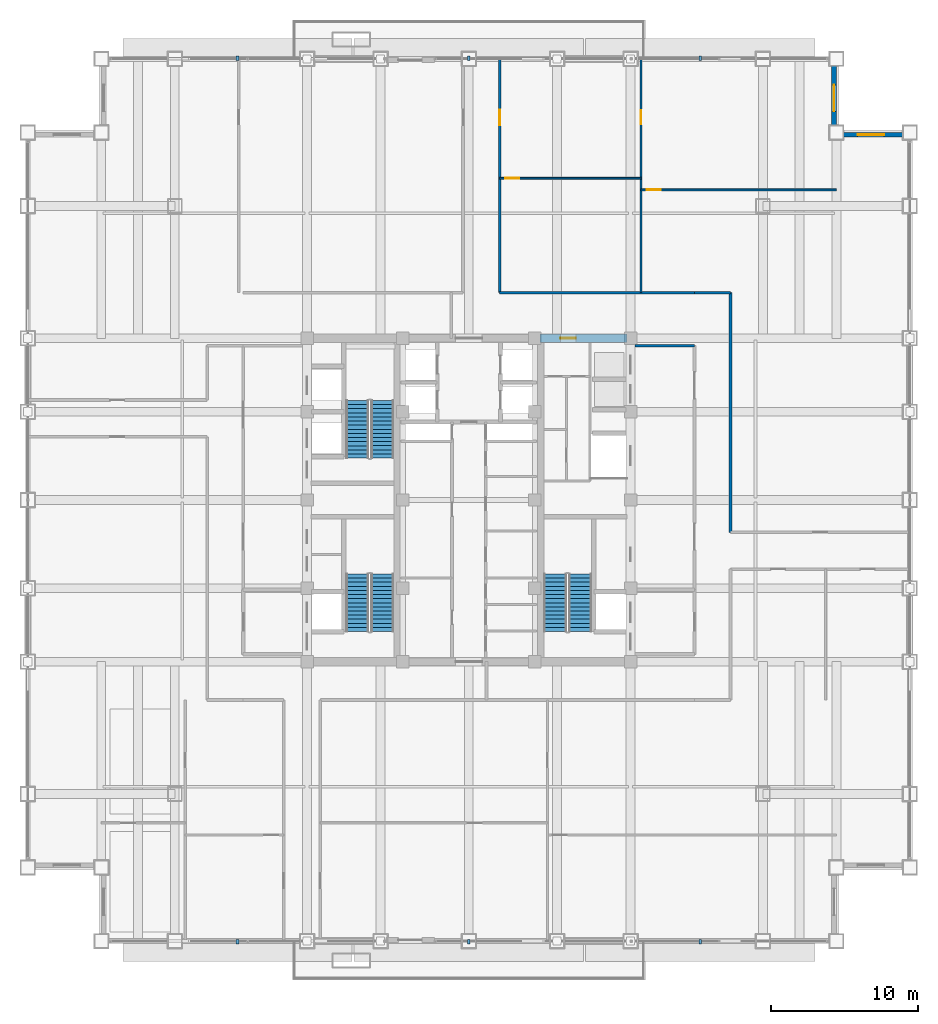
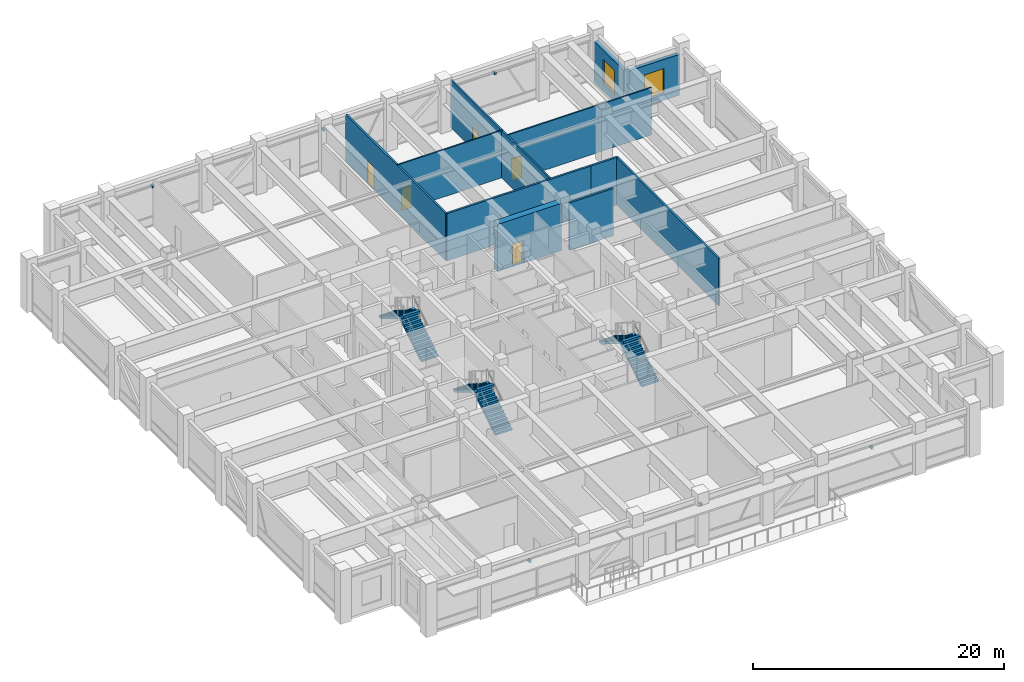
# One storey, part 27 of 33: 11 walls, 6 discrete accessories, 6 stair flights, 5 doors, 2 windows, 7 openings, 3 elements without a shape of their own.
"""IFC4 building model written with IfcOpenShell, lengths in metres."""

from ifc_helpers import new_model, si_unit, direction, frame, frame_2d, origin, origin_2d, place, context, subcontext, project, spatial, polyline, rectangle, outline, extrude, source, transform, mapped, material, layer, layer_set, type_object, element, fill, aggregate, save


model = new_model("IFC4")

# Units and contexts
model_context = context("Model", 3, precision=1e-05, world=origin(), true_north=direction((0.0, 1.0)))
body_context = subcontext(model_context, "Body", "Model", "MODEL_VIEW")
ifc_project = project(units=[si_unit("LENGTHUNIT", "METRE"), si_unit("AREAUNIT", "SQUARE_METRE"), si_unit("VOLUMEUNIT", "CUBIC_METRE"), si_unit("PLANEANGLEUNIT", "RADIAN"), si_unit("MASSUNIT", "GRAM", prefix="KILO")], contexts=[model_context])

# Site, building, storey
site_placement = place(None, origin())
site = spatial("IfcSite", under=ifc_project, at=site_placement, CompositionType="ELEMENT")
building_placement = place(site_placement, origin())
building = spatial("IfcBuilding", under=site, at=building_placement, Name="Khorayat Bourse Tower", CompositionType="ELEMENT")
storey_placement = place(building_placement, frame((0.0, 0.0, 263.10009765625)))
storey = spatial("IfcBuildingStorey", under=building, at=storey_placement, Name="L62", CompositionType="ELEMENT", Elevation=263.10009765625)

# Wall, opening, door
ifc_material_1 = material(Name="Concrete C60/75", Category="concrete")
ifc_layer_1 = layer(ifc_material_1, 0.60009765625)
ifc_layer_set_1 = layer_set([ifc_layer_1], Name="Concrete C60/75")
wall_type_1 = type_object("IfcWallType", Name="WAL-CORE-600", PredefinedType="SHEAR", material=ifc_layer_set_1)
shared_shape_1 = source(origin(), body_context, "Body", "SweptSolid", [
    extrude(rectangle(XDim=5.89990234375, YDim=0.60009765625, at=frame_2d((2.949951171875, 0.0))), origin(), (0.0, 0.0, 1.0), 4.599853515625),
])
wall_1_placement = place(storey_placement, frame((4.85009765625, 11.0, 0.0), z_axis=(0.0, 0.0, 1.0), x_axis=(1.0, 0.0, 0.0)))
wall_1 = element("IfcWall", 1, at=wall_1_placement, inside=storey, type_object=wall_type_1, Name="L62 Core Shear Wall PIER-EN", PredefinedType="SHEAR", context=body_context, shape_type="MappedRepresentation", body=[
    mapped(shared_shape_1, transform((0.0, 0.0, 0.0), scale=1.0)),
])
shared_shape_2 = source(origin(), body_context, "Body", "SweptSolid", [
    extrude(rectangle(XDim=1.050048828125, YDim=2.199951171875, at=frame_2d((0.52490234375, 1.10009765625))), frame((0.0, 0.31005859375, 0.0), z_axis=(0.0, -1.0, 0.0), x_axis=(1.0, 0.0, 0.0)), (0.0, 0.0, 1.0), 0.6201171875),
])
opening_1_placement = place(wall_1_placement, frame((1.375, 0.0, 0.0)))
opening_1 = element("IfcOpeningElement", 2, at=opening_1_placement, cuts=wall_1, Name="Opening DI-04", PredefinedType="OPENING", context=body_context, shape_type="MappedRepresentation", body=[
    mapped(shared_shape_2, transform((0.0, 0.0, 0.0), scale=1.0)),
])
ifc_material_2 = material(Name="Fire-rated oak veneer suite entrance door")
door_type_1 = type_object("IfcDoorType", Name="DR-INT-SUITE-1050", OperationType="NOTDEFINED", PredefinedType="DOOR", material=ifc_material_2)
shared_shape_3 = source(origin(), body_context, "Body", "SweptSolid", [
    extrude(rectangle(XDim=1.050048828125, YDim=2.199951171875, at=frame_2d((0.52490234375, 1.10009765625))), frame((0.0, 0.02490234375, 0.0), z_axis=(0.0, -1.0, 0.0), x_axis=(1.0, 0.0, 0.0)), (0.0, 0.0, 1.0), 0.050048828125),
])
door_1_placement = place(opening_1_placement, origin())
door_1 = element("IfcDoor", 3, at=door_1_placement, inside=storey, type_object=door_type_1, Name="L62 Core Washroom Lobby Door", OperationType="SINGLE_SWING_LEFT", OverallHeight=2.199951171875, OverallWidth=1.050048828125, PredefinedType="DOOR", context=body_context, shape_type="MappedRepresentation", body=[
    mapped(shared_shape_3, transform((0.0, 0.0, 0.0), scale=1.0)),
])
fill(opening_1, door_1)

# Wall, opening, window
ifc_material_3 = material(Name="Precast concrete C45/55", Category="concrete")
ifc_layer_2 = layer(ifc_material_3, 0.320068359375)
ifc_layer_set_2 = layer_set([ifc_layer_2], Name="Precast concrete C45/55")
wall_type_2 = type_object("IfcWallType", Name="WAL-EXT-STONE-320", PredefinedType="STANDARD", material=ifc_layer_set_2)
shared_shape_4 = source(origin(), body_context, "Body", "SweptSolid", [
    extrude(rectangle(XDim=4.679931640625, YDim=0.320068359375, at=frame_2d((2.33984375, 0.0))), origin(), (0.0, 0.0, 1.0), 3.98388671875),
])
wall_2_placement = place(storey_placement, frame((25.0, 24.840087890625, 0.0), z_axis=(0.0, 0.0, 1.0), x_axis=(1.0, 0.0, 0.0)))
wall_2 = element("IfcWall", 4, at=wall_2_placement, inside=storey, type_object=wall_type_2, Name="L62 Re-Entrant Notch Limestone Wall NE-H", PredefinedType="STANDARD", context=body_context, shape_type="MappedRepresentation", body=[
    mapped(shared_shape_4, transform((0.0, 0.0, 0.0), scale=1.0)),
])
shared_shape_5 = source(origin(), body_context, "Body", "SweptSolid", [
    extrude(rectangle(XDim=1.800048828125, YDim=2.39990234375, at=frame_2d((0.89990234375, 1.199951171875))), frame((0.0, 0.169921875, 0.0), z_axis=(0.0, -1.0, 0.0), x_axis=(1.0, 0.0, 0.0)), (0.0, 0.0, 1.0), 0.340087890625),
])
opening_2_placement = place(wall_2_placement, frame((1.43994140625, 0.0, 0.699951171875)))
opening_2 = element("IfcOpeningElement", 5, at=opening_2_placement, cuts=wall_2, Name="Opening WN-04", PredefinedType="OPENING", context=body_context, shape_type="MappedRepresentation", body=[
    mapped(shared_shape_5, transform((0.0, 0.0, 0.0), scale=1.0)),
])
ifc_material_4 = material(Name="Low-E acoustic laminated double glazing", Category="glass")
window_type = type_object("IfcWindowType", Name="WIN-NOTCH-1800x2400", PartitioningType="SINGLE_PANEL", PredefinedType="WINDOW", material=ifc_material_4)
shared_shape_6 = source(origin(), body_context, "Body", "SweptSolid", [
    extrude(rectangle(XDim=1.800048828125, YDim=2.39990234375, at=frame_2d((0.89990234375, 1.199951171875))), frame((0.0, 0.030029296875, 0.0), z_axis=(0.0, -1.0, 0.0), x_axis=(1.0, 0.0, 0.0)), (0.0, 0.0, 1.0), 0.06005859375),
])
window_1_placement = place(opening_2_placement, origin())
window_1 = element("IfcWindow", 6, at=window_1_placement, inside=storey, type_object=window_type, Name="L62 Facade Window 1", OverallHeight=2.39990234375, OverallWidth=1.800048828125, PartitioningType="SINGLE_PANEL", PredefinedType="WINDOW", context=body_context, shape_type="MappedRepresentation", body=[
    mapped(shared_shape_6, transform((0.0, 0.0, 0.0), scale=1.0)),
])
fill(opening_2, window_1)

wall_3_placement = place(storey_placement, frame((24.840087890625, 25.0, 0.0), z_axis=(0.0, 0.0, 1.0), x_axis=(0.0, 1.0, 0.0)))
wall_3 = element("IfcWall", 7, at=wall_3_placement, inside=storey, type_object=wall_type_2, Name="L62 Re-Entrant Notch Limestone Wall NE-V", PredefinedType="STANDARD", context=body_context, shape_type="MappedRepresentation", body=[
    mapped(shared_shape_4, transform((0.0, 0.0, 0.0), scale=1.0)),
])
opening_3_placement = place(wall_3_placement, frame((1.43994140625, 0.0, 0.699951171875)))
opening_3 = element("IfcOpeningElement", 8, at=opening_3_placement, cuts=wall_3, Name="Opening WN-04", PredefinedType="OPENING", context=body_context, shape_type="MappedRepresentation", body=[
    mapped(shared_shape_5, transform((0.0, 0.0, 0.0), scale=1.0)),
])
window_2_placement = place(opening_3_placement, origin())
window_2 = element("IfcWindow", 9, at=window_2_placement, inside=storey, type_object=window_type, Name="L62 Facade Window 1", OverallHeight=2.39990234375, OverallWidth=1.800048828125, PartitioningType="SINGLE_PANEL", PredefinedType="WINDOW", context=body_context, shape_type="MappedRepresentation", body=[
    mapped(shared_shape_6, transform((0.0, 0.0, 0.0), scale=1.0)),
])
fill(opening_3, window_2)

# Walls
ifc_material_5 = material(Name="Gypsum plasterboard acoustic stud wall")
ifc_layer_3 = layer(ifc_material_5, 0.179931640625)
ifc_layer_set_3 = layer_set([ifc_layer_3], Name="Gypsum plasterboard acoustic stud wall")
wall_type_3 = type_object("IfcWallType", Name="WAL-PART-CORR-180", PredefinedType="PARTITIONING", material=ifc_layer_set_3)
shared_shape_7 = source(origin(), body_context, "Body", "SweptSolid", [
    extrude(rectangle(XDim=4.050048828125, YDim=0.179931640625, at=frame_2d((2.02490234375, 0.0))), origin(), (0.0, 0.0, 1.0), 4.599853515625),
])
wall_4_placement = place(storey_placement, frame((11.300048828125, 10.5, 0.0), z_axis=(0.0, 0.0, 1.0), x_axis=(1.0, 0.0, 0.0)))
element("IfcWall", 10, at=wall_4_placement, inside=storey, type_object=wall_type_3, Name="L62 Partition WAL-L62-ELOB-N", PredefinedType="PARTITIONING", context=body_context, shape_type="MappedRepresentation", body=[
    mapped(shared_shape_7, transform((0.0, 0.0, 0.0), scale=1.0)),
])
shared_shape_8 = source(origin(), body_context, "Body", "SweptSolid", [
    extrude(rectangle(XDim=2.449951171875, YDim=0.179931640625, at=frame_2d((1.22509765625, 0.0))), origin(), (0.0, 0.0, 1.0), 4.599853515625),
])
wall_5_placement = place(storey_placement, frame((15.35009765625, 14.10009765625, 0.0), z_axis=(0.0, 0.0, 1.0), x_axis=(1.0, 0.0, 0.0)))
element("IfcWall", 11, at=wall_5_placement, inside=storey, type_object=wall_type_3, Name="L62 Partition WAL-L62-C2-EN", PredefinedType="PARTITIONING", context=body_context, shape_type="MappedRepresentation", body=[
    mapped(shared_shape_8, transform((0.0, 0.0, 0.0), scale=1.0)),
])

# Wall, opening, door
ifc_material_6 = material(Name="Gypsum plasterboard twin-frame partition")
ifc_layer_4 = layer(ifc_material_6, 0.14990234375)
ifc_layer_set_4 = layer_set([ifc_layer_4], Name="Gypsum plasterboard twin-frame partition")
wall_type_4 = type_object("IfcWallType", Name="WAL-PART-SUITE-150", PredefinedType="PARTITIONING", material=ifc_layer_set_4)
shared_shape_9 = source(origin(), body_context, "Body", "SweptSolid", [
    extrude(rectangle(XDim=15.89990234375, YDim=0.14990234375, at=frame_2d((7.949951171875, 0.0))), origin(), (0.0, 0.0, 1.0), 4.599853515625),
])
wall_6_placement = place(storey_placement, frame((11.718017578125, 14.10009765625, 0.0), z_axis=(0.0, 0.0, 1.0), x_axis=(0.0, 1.0, 0.0)))
wall_6 = element("IfcWall", 12, at=wall_6_placement, inside=storey, type_object=wall_type_4, Name="L62 Partition WAL-L62-QNEDV-1", PredefinedType="PARTITIONING", context=body_context, shape_type="MappedRepresentation", body=[
    mapped(shared_shape_9, transform((0.0, 0.0, 0.0), scale=1.0)),
])
shared_shape_10 = source(origin(), body_context, "Body", "SweptSolid", [
    extrude(rectangle(XDim=0.949951171875, YDim=2.14990234375, at=frame_2d((0.47509765625, 1.074951171875))), frame((0.0, 0.0849609375, 0.0), z_axis=(0.0, -1.0, 0.0), x_axis=(1.0, 0.0, 0.0)), (0.0, 0.0, 1.0), 0.169921875),
])
opening_4_placement = place(wall_6_placement, frame((11.449951171875, 0.0, 0.0)))
opening_4 = element("IfcOpeningElement", 13, at=opening_4_placement, cuts=wall_6, Name="Opening DI-05", PredefinedType="OPENING", context=body_context, shape_type="MappedRepresentation", body=[
    mapped(shared_shape_10, transform((0.0, 0.0, 0.0), scale=1.0)),
])
ifc_material_7 = material(Name="Acoustic oak veneer office door")
door_type_2 = type_object("IfcDoorType", Name="DR-INT-OFFICE-950", OperationType="NOTDEFINED", PredefinedType="DOOR", material=ifc_material_7)
shared_shape_11 = source(origin(), body_context, "Body", "SweptSolid", [
    extrude(rectangle(XDim=0.949951171875, YDim=2.14990234375, at=frame_2d((0.47509765625, 1.074951171875))), frame((0.0, 0.02490234375, 0.0), z_axis=(0.0, -1.0, 0.0), x_axis=(1.0, 0.0, 0.0)), (0.0, 0.0, 1.0), 0.050048828125),
])
door_2_placement = place(opening_4_placement, origin())
door_2 = element("IfcDoor", 14, at=door_2_placement, inside=storey, type_object=door_type_2, Name="L62 North-East Suite Link 1", OperationType="SINGLE_SWING_RIGHT", OverallHeight=2.14990234375, OverallWidth=0.949951171875, PredefinedType="DOOR", context=body_context, shape_type="MappedRepresentation", body=[
    mapped(shared_shape_11, transform((0.0, 0.0, 0.0), scale=1.0)),
])
fill(opening_4, door_2)

ifc_material_8 = material(Name="Gypsum plasterboard partition")
ifc_layer_5 = layer(ifc_material_8, 0.125)
ifc_layer_set_5 = layer_set([ifc_layer_5], Name="Gypsum plasterboard partition")
wall_type_5 = type_object("IfcWallType", Name="WAL-PART-ROOM-125", PredefinedType="PARTITIONING", material=ifc_layer_set_5)
shared_shape_12 = source(origin(), body_context, "Body", "SweptSolid", [
    extrude(rectangle(XDim=9.617919921875, YDim=0.125, at=frame_2d((4.80908203125, 0.0))), origin(), (0.0, 0.0, 1.0), 4.599853515625),
])
wall_7_placement = place(storey_placement, frame((2.10009765625, 21.89111328125, 0.0), z_axis=(0.0, 0.0, 1.0), x_axis=(1.0, 0.0, 0.0)))
wall_7 = element("IfcWall", 15, at=wall_7_placement, inside=storey, type_object=wall_type_5, Name="L62 Partition WAL-L62-QNEDP-1", PredefinedType="PARTITIONING", context=body_context, shape_type="MappedRepresentation", body=[
    mapped(shared_shape_12, transform((0.0, 0.0, 0.0), scale=1.0)),
])
shared_shape_13 = source(origin(), body_context, "Body", "SweptSolid", [
    extrude(rectangle(XDim=0.949951171875, YDim=2.14990234375, at=frame_2d((0.47509765625, 1.074951171875))), frame((0.0, 0.072509765625, 0.0), z_axis=(0.0, -1.0, 0.0), x_axis=(1.0, 0.0, 0.0)), (0.0, 0.0, 1.0), 0.14501953125),
])
opening_5_placement = place(wall_7_placement, frame((0.375, 0.0, 0.0)))
opening_5 = element("IfcOpeningElement", 16, at=opening_5_placement, cuts=wall_7, Name="Opening DI-05", PredefinedType="OPENING", context=body_context, shape_type="MappedRepresentation", body=[
    mapped(shared_shape_13, transform((0.0, 0.0, 0.0), scale=1.0)),
])
door_3_placement = place(opening_5_placement, origin())
door_3 = element("IfcDoor", 17, at=door_3_placement, inside=storey, type_object=door_type_2, Name="L62 North-East Executive Boardroom 1B Door", OperationType="SINGLE_SWING_RIGHT", OverallHeight=2.14990234375, OverallWidth=0.949951171875, PredefinedType="DOOR", context=body_context, shape_type="MappedRepresentation", body=[
    mapped(shared_shape_11, transform((0.0, 0.0, 0.0), scale=1.0)),
])
fill(opening_5, door_3)

shared_shape_14 = source(origin(), body_context, "Body", "SweptSolid", [
    extrude(rectangle(XDim=13.281982421875, YDim=0.125, at=frame_2d((6.64111328125, 0.0))), origin(), (0.0, 0.0, 1.0), 4.599853515625),
])
wall_8_placement = place(storey_placement, frame((11.718017578125, 21.095947265625, 0.0), z_axis=(0.0, 0.0, 1.0), x_axis=(1.0, 0.0, 0.0)))
wall_8 = element("IfcWall", 18, at=wall_8_placement, inside=storey, type_object=wall_type_5, Name="L62 Partition WAL-L62-QNEDP-2", PredefinedType="PARTITIONING", context=body_context, shape_type="MappedRepresentation", body=[
    mapped(shared_shape_14, transform((0.0, 0.0, 0.0), scale=1.0)),
])
opening_6_placement = place(wall_8_placement, frame((0.375, 0.0, 0.0)))
opening_6 = element("IfcOpeningElement", 19, at=opening_6_placement, cuts=wall_8, Name="Opening DI-05", PredefinedType="OPENING", context=body_context, shape_type="MappedRepresentation", body=[
    mapped(shared_shape_13, transform((0.0, 0.0, 0.0), scale=1.0)),
])
door_4_placement = place(opening_6_placement, origin())
door_4 = element("IfcDoor", 20, at=door_4_placement, inside=storey, type_object=door_type_2, Name="L62 North-East Issuer Listing Showroom 2B Door", OperationType="SINGLE_SWING_LEFT", OverallHeight=2.14990234375, OverallWidth=0.949951171875, PredefinedType="DOOR", context=body_context, shape_type="MappedRepresentation", body=[
    mapped(shared_shape_11, transform((0.0, 0.0, 0.0), scale=1.0)),
])
fill(opening_6, door_4)

shared_shape_15 = source(origin(), body_context, "Body", "SweptSolid", [
    extrude(rectangle(XDim=15.89990234375, YDim=0.179931640625, at=frame_2d((7.949951171875, 0.0))), origin(), (0.0, 0.0, 1.0), 4.599853515625),
])
wall_9_placement = place(storey_placement, frame((2.10009765625, 14.10009765625, 0.0), z_axis=(0.0, 0.0, 1.0), x_axis=(0.0, 1.0, 0.0)))
wall_9 = element("IfcWall", 21, at=wall_9_placement, inside=storey, type_object=wall_type_3, Name="L62 Partition WAL-L62-QNE-SPK", PredefinedType="PARTITIONING", context=body_context, shape_type="MappedRepresentation", body=[
    mapped(shared_shape_15, transform((0.0, 0.0, 0.0), scale=1.0)),
])
shared_shape_16 = source(origin(), body_context, "Body", "SweptSolid", [
    extrude(rectangle(XDim=1.050048828125, YDim=2.199951171875, at=frame_2d((0.52490234375, 1.10009765625))), frame((0.0, 0.099853515625, 0.0), z_axis=(0.0, -1.0, 0.0), x_axis=(1.0, 0.0, 0.0)), (0.0, 0.0, 1.0), 0.199951171875),
])
opening_7_placement = place(wall_9_placement, frame((11.39990234375, 0.0, 0.0)))
opening_7 = element("IfcOpeningElement", 22, at=opening_7_placement, cuts=wall_9, Name="Opening DI-04", PredefinedType="OPENING", context=body_context, shape_type="MappedRepresentation", body=[
    mapped(shared_shape_16, transform((0.0, 0.0, 0.0), scale=1.0)),
])
door_5_placement = place(opening_7_placement, origin())
door_5 = element("IfcDoor", 23, at=door_5_placement, inside=storey, type_object=door_type_1, Name="L62 North-East Radial Spoke Entry", OperationType="SINGLE_SWING_LEFT", OverallHeight=2.199951171875, OverallWidth=1.050048828125, PredefinedType="DOOR", context=body_context, shape_type="MappedRepresentation", body=[
    mapped(shared_shape_3, transform((0.0, 0.0, 0.0), scale=1.0)),
])
fill(opening_7, door_5)

# Walls
shared_shape_17 = source(origin(), body_context, "Body", "SweptSolid", [
    extrude(rectangle(XDim=13.25, YDim=0.179931640625, at=frame_2d((6.625, 0.0))), origin(), (0.0, 0.0, 1.0), 4.599853515625),
])
wall_10_placement = place(storey_placement, frame((2.10009765625, 14.10009765625, 0.0), z_axis=(0.0, 0.0, 1.0), x_axis=(1.0, 0.0, 0.0)))
element("IfcWall", 24, at=wall_10_placement, inside=storey, type_object=wall_type_3, Name="L62 Partition WAL-L62-QNE-HC", PredefinedType="PARTITIONING", context=body_context, shape_type="MappedRepresentation", body=[
    mapped(shared_shape_17, transform((0.0, 0.0, 0.0), scale=1.0)),
])
shared_shape_18 = source(origin(), body_context, "Body", "SweptSolid", [
    extrude(rectangle(XDim=16.300048828125, YDim=0.179931640625, at=frame_2d((8.14990234375, 0.0))), origin(), (0.0, 0.0, 1.0), 4.599853515625),
])
wall_11_placement = place(storey_placement, frame((17.800048828125, -2.199951171875, 0.0), z_axis=(0.0, 0.0, 1.0), x_axis=(0.0, 1.0, 0.0)))
element("IfcWall", 25, at=wall_11_placement, inside=storey, type_object=wall_type_3, Name="L62 Partition WAL-L62-EN-IN", PredefinedType="PARTITIONING", context=body_context, shape_type="MappedRepresentation", body=[
    mapped(shared_shape_18, transform((0.0, 0.0, 0.0), scale=1.0)),
])

# Stair, stair flights
ifc_material_9 = material(Name="Concrete C40/50", Category="concrete")
stair_type = type_object("IfcStairType", Name="STR-CORE-1550", PredefinedType="HALF_TURN_STAIR", material=ifc_material_9)
stair_1_placement = place(storey_placement, origin())
stair_1 = element("IfcStair", 26, at=stair_1_placement, inside=storey, type_object=stair_type, Name="L62 Exit Stair ST-1", PredefinedType="HALF_TURN_STAIR")
stair_flight_type = type_object("IfcStairFlightType", Name="FLT-CORE-1550", PredefinedType="STRAIGHT", material=ifc_material_9)
shared_shape_19 = source(origin(), body_context, "Body", "SweptSolid", [
    extrude(outline(polyline([(0.0, 0.0), (0.0, 0.17333984375), (0.280029296875, 0.17333984375), (0.280029296875, 0.3466796875), (0.56005859375, 0.3466796875), (0.56005859375, 0.52001953125), (0.840087890625, 0.52001953125), (0.840087890625, 0.693359375), (1.1201171875, 0.693359375), (1.1201171875, 0.86669921875), (1.39990234375, 0.86669921875), (1.39990234375, 1.0400390625), (1.679931640625, 1.0400390625), (1.679931640625, 1.21337890625), (1.9599609375, 1.21337890625), (1.9599609375, 1.38671875), (2.239990234375, 1.38671875), (2.239990234375, 1.56005859375), (2.52001953125, 1.56005859375), (2.52001953125, 1.7333984375), (2.800048828125, 1.7333984375), (2.800048828125, 1.90673828125), (3.080078125, 1.90673828125), (3.080078125, 2.080078125), (3.360107421875, 2.080078125), (3.360107421875, 2.25341796875), (3.639892578125, 2.25341796875), (3.639892578125, 2.4267578125), (3.919921875, 2.4267578125), (3.919921875, 2.60009765625), (3.919921875, 2.215087890625), (0.341796875, 0.0), (0.0, 0.0)])), frame((0.0, 0.77490234375, 0.0), z_axis=(0.0, -1.0, 0.0), x_axis=(1.0, 0.0, 0.0)), (0.0, 0.0, 1.0), 1.550048828125),
])
stair_flight_1_placement = place(storey_placement, frame((-5.875, -8.949951171875, 0.0), z_axis=(0.0, 0.0, 1.0), x_axis=(0.0, 1.0, 0.0)))
stair_flight_1 = element("IfcStairFlight", 27, at=stair_flight_1_placement, type_object=stair_flight_type, Name="ST-1 flight 1", NumberOfRisers=15, NumberOfTreads=14, PredefinedType="STRAIGHT", RiserHeight=0.173333333, TreadLength=0.28, context=body_context, shape_type="MappedRepresentation", body=[
    mapped(shared_shape_19, transform((0.0, 0.0, 0.0), scale=1.0)),
])
stair_flight_2_placement = place(storey_placement, frame((-7.574951171875, -5.030029296875, 2.599853515625), z_axis=(0.0, 0.0, 1.0), x_axis=(0.0, -1.0, 0.0)))
stair_flight_2 = element("IfcStairFlight", 28, at=stair_flight_2_placement, type_object=stair_flight_type, Name="ST-1 flight 2", NumberOfRisers=15, NumberOfTreads=14, PredefinedType="STRAIGHT", RiserHeight=0.173333333, TreadLength=0.28, context=body_context, shape_type="MappedRepresentation", body=[
    mapped(shared_shape_19, transform((0.0, 0.0, 0.0), scale=1.0)),
])
aggregate(stair_1, [stair_flight_1, stair_flight_2])

stair_2_placement = place(storey_placement, origin())
stair_2 = element("IfcStair", 29, at=stair_2_placement, inside=storey, type_object=stair_type, Name="L62 Exit Stair ST-2", PredefinedType="HALF_TURN_STAIR")
stair_flight_3_placement = place(storey_placement, frame((-5.875, 2.85009765625, 0.0), z_axis=(0.0, 0.0, 1.0), x_axis=(0.0, 1.0, 0.0)))
stair_flight_3 = element("IfcStairFlight", 30, at=stair_flight_3_placement, type_object=stair_flight_type, Name="ST-2 flight 1", NumberOfRisers=15, NumberOfTreads=14, PredefinedType="STRAIGHT", RiserHeight=0.173333333, TreadLength=0.28, context=body_context, shape_type="MappedRepresentation", body=[
    mapped(shared_shape_19, transform((0.0, 0.0, 0.0), scale=1.0)),
])
stair_flight_4_placement = place(storey_placement, frame((-7.574951171875, 6.77001953125, 2.599853515625), z_axis=(0.0, 0.0, 1.0), x_axis=(0.0, -1.0, 0.0)))
stair_flight_4 = element("IfcStairFlight", 31, at=stair_flight_4_placement, type_object=stair_flight_type, Name="ST-2 flight 2", NumberOfRisers=15, NumberOfTreads=14, PredefinedType="STRAIGHT", RiserHeight=0.173333333, TreadLength=0.28, context=body_context, shape_type="MappedRepresentation", body=[
    mapped(shared_shape_19, transform((0.0, 0.0, 0.0), scale=1.0)),
])
aggregate(stair_2, [stair_flight_3, stair_flight_4])

stair_3_placement = place(storey_placement, origin())
stair_3 = element("IfcStair", 32, at=stair_3_placement, inside=storey, type_object=stair_type, Name="L62 Exit Stair ST-3", PredefinedType="HALF_TURN_STAIR")
stair_flight_5_placement = place(storey_placement, frame((7.574951171875, -8.949951171875, 0.0), z_axis=(0.0, 0.0, 1.0), x_axis=(0.0, 1.0, 0.0)))
stair_flight_5 = element("IfcStairFlight", 33, at=stair_flight_5_placement, type_object=stair_flight_type, Name="ST-3 flight 1", NumberOfRisers=15, NumberOfTreads=14, PredefinedType="STRAIGHT", RiserHeight=0.173333333, TreadLength=0.28, context=body_context, shape_type="MappedRepresentation", body=[
    mapped(shared_shape_19, transform((0.0, 0.0, 0.0), scale=1.0)),
])
stair_flight_6_placement = place(storey_placement, frame((5.875, -5.030029296875, 2.599853515625), z_axis=(0.0, 0.0, 1.0), x_axis=(0.0, -1.0, 0.0)))
stair_flight_6 = element("IfcStairFlight", 34, at=stair_flight_6_placement, type_object=stair_flight_type, Name="ST-3 flight 2", NumberOfRisers=15, NumberOfTreads=14, PredefinedType="STRAIGHT", RiserHeight=0.173333333, TreadLength=0.28, context=body_context, shape_type="MappedRepresentation", body=[
    mapped(shared_shape_19, transform((0.0, 0.0, 0.0), scale=1.0)),
])
aggregate(stair_3, [stair_flight_5, stair_flight_6])

# Discrete accessories
ifc_material_10 = material(Name="Steel EN 10025-2 S355J2", Category="steel")
discrete_accessory_type = type_object("IfcDiscreteAccessoryType", Name="ACC-SHADE-BRACKET", PredefinedType="BRACKET", material=ifc_material_10)
shared_shape_20 = source(origin(), body_context, "Body", "SweptSolid", [
    extrude(rectangle(XDim=0.179931640625, YDim=0.300048828125, at=origin_2d()), origin(), (0.0, 0.0, 1.0), 0.239990234375),
])
for number, where, z_axis, x_axis, name in (
    (35, (-15.7333984375, -30.06005859375, 3.69970703125), (0.0, 0.0, 1.0), (1.0, 0.0, 0.0), "L62 Sunshade Support Bracket S-1"),
    (36, (0.0, -30.06005859375, 3.69970703125), (0.0, 0.0, 1.0), (1.0, 0.0, 0.0), "L62 Sunshade Support Bracket S-2"),
    (37, (15.7333984375, -30.06005859375, 3.69970703125), (0.0, 0.0, 1.0), (1.0, 0.0, 0.0), "L62 Sunshade Support Bracket S-3"),
    (38, (-15.7333984375, 30.06005859375, 3.69970703125), (0.0, 0.0, 1.0), (1.0, 0.0, 0.0), "L62 Sunshade Support Bracket N-1"),
    (39, (0.0, 30.06005859375, 3.69970703125), (0.0, 0.0, 1.0), (1.0, 0.0, 0.0), "L62 Sunshade Support Bracket N-2"),
    (40, (15.7333984375, 30.06005859375, 3.69970703125), (0.0, 0.0, 1.0), (1.0, 0.0, 0.0), "L62 Sunshade Support Bracket N-3"),
):
    element("IfcDiscreteAccessory", number, at=place(storey_placement, frame(where, z_axis=z_axis, x_axis=x_axis)), inside=storey, type_object=discrete_accessory_type, Name=name, PredefinedType="BRACKET", context=body_context, shape_type="MappedRepresentation", body=[
        mapped(shared_shape_20, transform((0.0, 0.0, 0.0), scale=1.0)),
    ])

save(model, "model.ifc")
